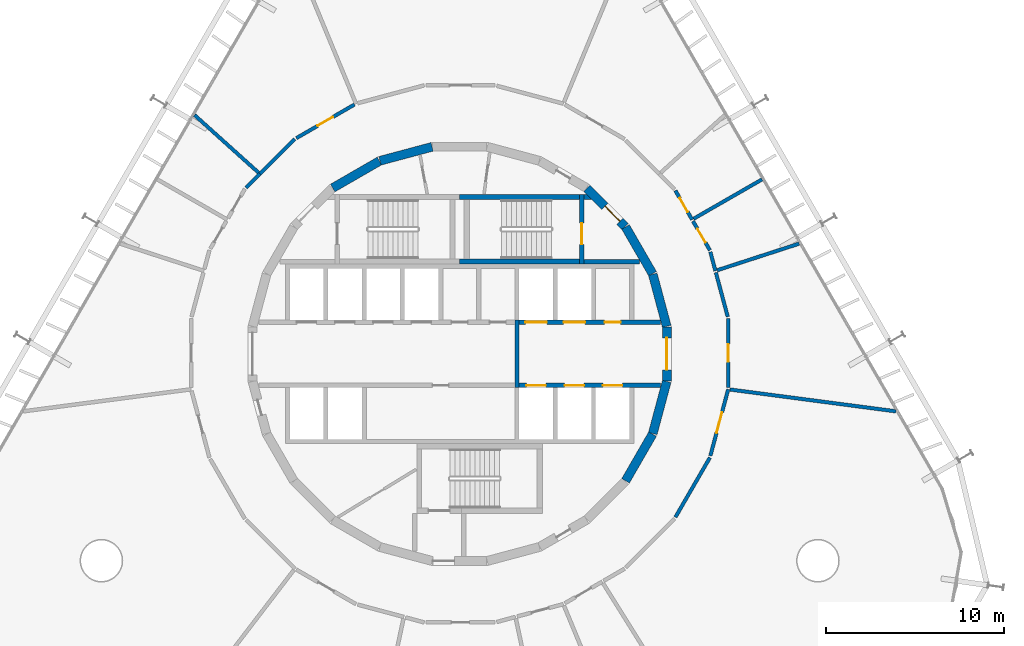
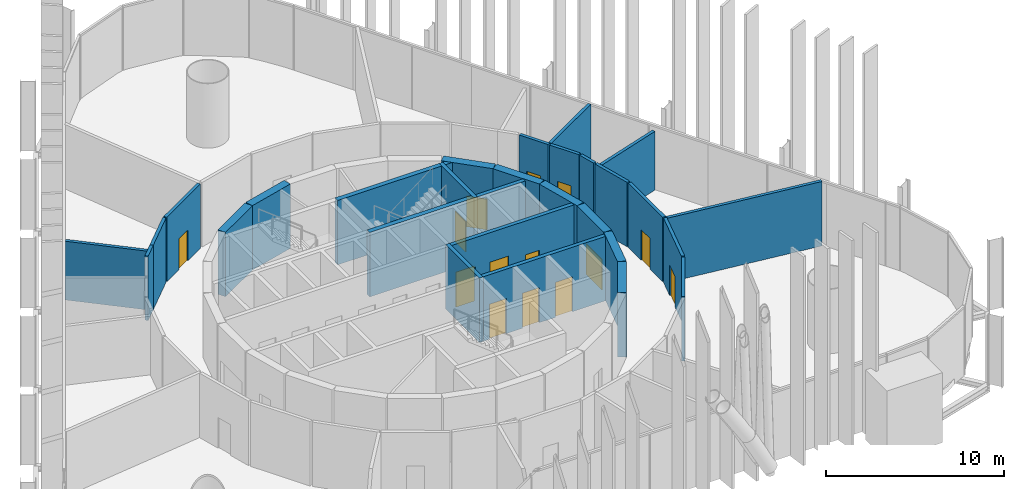
# One storey, part 15 of 17: 30 walls, 14 doors, 14 openings.
"""IFC4 building model written with IfcOpenShell, lengths in metres."""

from ifc_helpers import new_model, si_unit, direction, frame, frame_2d, origin, place, context, subcontext, project, spatial, polyline, rectangle, outline, extrude, material, layer, layer_set, type_object, element, fill, save


model = new_model("IFC4")

# Units and contexts
model_context = context("Model", 3, precision=1e-05, world=origin(), true_north=direction((0.0, 1.0)))
body_context = subcontext(model_context, "Body", "Model", "MODEL_VIEW")
ifc_project = project(units=[si_unit("LENGTHUNIT", "METRE"), si_unit("AREAUNIT", "SQUARE_METRE"), si_unit("VOLUMEUNIT", "CUBIC_METRE"), si_unit("PLANEANGLEUNIT", "RADIAN"), si_unit("MASSUNIT", "GRAM", prefix="KILO")], contexts=[model_context])

# Site, building, storey
site_placement = place(None, origin())
site = spatial("IfcSite", under=ifc_project, at=site_placement, CompositionType="ELEMENT")
building_placement = place(site_placement, origin())
building = spatial("IfcBuilding", under=site, at=building_placement, Name="Spindle Arch Residences", CompositionType="ELEMENT")
storey_placement = place(building_placement, frame((0.0, 0.0, 18.60009765625)))
storey = spatial("IfcBuildingStorey", under=building, at=storey_placement, Name="L03", CompositionType="ELEMENT", Elevation=18.60009765625)

# Walls
ifc_material_1 = material(Name="Concrete C50/60", Category="concrete")
ifc_layer_1 = layer(ifc_material_1, 0.5)
ifc_layer_set_1 = layer_set([ifc_layer_1], Name="Core outline wall 500")
wall_type_1 = type_object("IfcWallType", Name="Core outline wall 500", PredefinedType="SHEAR", material=ifc_layer_set_1)
for number, where, z_axis, x_axis, name in (
    (1, (9.32861328125, -7.13671875, 0.0), (0.0, 0.0, 1.0), (0.500087131594, 0.865975092491, 0.0), "Core outline wall 4"),
    (2, (10.858154296875, -4.479248046875, 0.0), (0.0, 0.0, 1.0), (0.258734743916, 0.965948410781, 0.0), "Core outline wall 5"),
):
    element("IfcWall", number, at=place(storey_placement, frame(where, z_axis=z_axis, x_axis=x_axis)), inside=storey, type_object=wall_type_1, Name=name, PredefinedType="SHEAR", context=body_context, shape_type="SweptSolid", body=[
        extrude(rectangle(XDim=3.03271484375, YDim=0.5, at=frame_2d((1.516357421875, 0.0))), origin(), (0.0, 0.0, 1.0), 4.419921875),
    ])

# Wall, opening, door
wall_1_placement = place(storey_placement, frame((11.647216796875, -1.516357421875, 0.0), z_axis=(0.0, 0.0, 1.0), x_axis=(0.0, 1.0, 0.0)))
wall_1 = element("IfcWall", 3, at=wall_1_placement, inside=storey, type_object=wall_type_1, Name="Core outline wall 6", PredefinedType="SHEAR", context=body_context, shape_type="SweptSolid", body=[
    extrude(rectangle(XDim=3.03271484375, YDim=0.5, at=frame_2d((1.516357421875, 0.0))), origin(), (0.0, 0.0, 1.0), 4.419921875),
])
opening_1_placement = place(wall_1_placement, frame((0.6162109375, 0.0, 0.0)))
opening_1 = element("IfcOpeningElement", 4, at=opening_1_placement, cuts=wall_1, Name="Opening L03-FE01", PredefinedType="OPENING", context=body_context, shape_type="SweptSolid", body=[
    extrude(rectangle(XDim=1.800048828125, YDim=2.10009765625, at=frame_2d((0.89990234375, 1.050048828125))), frame((0.0, 0.260009765625, 0.0), z_axis=(0.0, -1.0, 0.0), x_axis=(1.0, 0.0, 0.0)), (0.0, 0.0, 1.0), 0.52001953125),
])
ifc_material_2 = material(Name="Steel, fire-resisting door", Category="steel")
door_type_1 = type_object("IfcDoorType", Name="Fire-lift lobby door 1800x2100", OperationType="DOUBLE_DOOR_SINGLE_SWING", PredefinedType="DOOR", material=ifc_material_2)
door_1_placement = place(opening_1_placement, origin())
door_1 = element("IfcDoor", 5, at=door_1_placement, inside=storey, type_object=door_type_1, Name="Fire-lift lobby door L03-FE01", OperationType="DOUBLE_DOOR_SINGLE_SWING", OverallHeight=2.10009765625, OverallWidth=1.800048828125, PredefinedType="DOOR", context=body_context, shape_type="SweptSolid", body=[
    extrude(rectangle(XDim=1.800048828125, YDim=2.10009765625, at=frame_2d((0.89990234375, 1.050048828125))), frame((0.0, 0.02490234375, 0.0), z_axis=(0.0, -1.0, 0.0), x_axis=(1.0, 0.0, 0.0)), (0.0, 0.0, 1.0), 0.050048828125),
])
fill(opening_1, door_1)

# Walls
for number, where, z_axis, x_axis, name in (
    (6, (11.642822265625, 1.5498046875, 0.0), (0.0, 0.0, 1.0), (-0.258734743916, 0.965948410781, 0.0), "Core outline wall 7"),
    (7, (10.84521484375, 4.510498046875, 0.0), (0.0, 0.0, 1.0), (-0.500087131594, 0.865975092491, 0.0), "Core outline wall 8"),
):
    element("IfcWall", number, at=place(storey_placement, frame(where, z_axis=z_axis, x_axis=x_axis)), inside=storey, type_object=wall_type_1, Name=name, PredefinedType="SHEAR", context=body_context, shape_type="SweptSolid", body=[
        extrude(rectangle(XDim=3.03271484375, YDim=0.5, at=frame_2d((1.516357421875, 0.0))), origin(), (0.0, 0.0, 1.0), 4.419921875),
    ])

# Wall, opening, door
wall_2_placement = place(storey_placement, frame((9.30810546875, 7.163818359375, 0.0), z_axis=(0.0, 0.0, 1.0), x_axis=(-0.707106781187, 0.707106781187, 0.0)))
wall_2 = element("IfcWall", 8, at=wall_2_placement, inside=storey, type_object=wall_type_1, Name="Core outline wall 9", PredefinedType="SHEAR", context=body_context, shape_type="SweptSolid", body=[
    extrude(rectangle(XDim=3.032470703125, YDim=0.5, at=frame_2d((1.51611328125, 0.0))), origin(), (0.0, 0.0, 1.0), 4.419921875),
])
opening_2_placement = place(wall_2_placement, frame((0.416259765625, 0.0, 0.0)))
opening_2 = element("IfcOpeningElement", 9, at=opening_2_placement, cuts=wall_2, Name="Opening L03-AD01", PredefinedType="OPENING", context=body_context, shape_type="SweptSolid", body=[
    extrude(rectangle(XDim=1.199951171875, YDim=2.10009765625, at=frame_2d((0.60009765625, 1.050048828125))), frame((0.0, 0.260009765625, 0.0), z_axis=(0.0, -1.0, 0.0), x_axis=(1.0, 0.0, 0.0)), (0.0, 0.0, 1.0), 0.52001953125),
])
ifc_material_3 = material(Name="Steel, fire-resisting door", Category="steel")
door_type_2 = type_object("IfcDoorType", Name="Stair airlock door 1200x2100", OperationType="SINGLE_SWING_LEFT", PredefinedType="DOOR", material=ifc_material_3)
door_2_placement = place(opening_2_placement, origin())
door_2 = element("IfcDoor", 10, at=door_2_placement, inside=storey, type_object=door_type_2, Name="Stair airlock door L03-AD01", OperationType="SINGLE_SWING_RIGHT", OverallHeight=2.10009765625, OverallWidth=1.199951171875, PredefinedType="DOOR", context=body_context, shape_type="SweptSolid", body=[
    extrude(rectangle(XDim=1.199951171875, YDim=2.10009765625, at=frame_2d((0.60009765625, 1.050048828125))), frame((0.0, 0.02490234375, 0.0), z_axis=(0.0, -1.0, 0.0), x_axis=(1.0, 0.0, 0.0)), (0.0, 0.0, 1.0), 0.050048828125),
])
fill(opening_2, door_2)

# Walls
for number, where, z_axis, x_axis, name in (
    (11, (-1.5498046875, 11.642822265625, 0.0), (0.0, 0.0, 1.0), (-0.965948410781, -0.258734743916, 0.0), "Core outline wall 13"),
    (12, (-4.510498046875, 10.84521484375, 0.0), (0.0, 0.0, 1.0), (-0.865975092491, -0.500087131594, 0.0), "Core outline wall 14"),
):
    element("IfcWall", number, at=place(storey_placement, frame(where, z_axis=z_axis, x_axis=x_axis)), inside=storey, type_object=wall_type_1, Name=name, PredefinedType="SHEAR", context=body_context, shape_type="SweptSolid", body=[
        extrude(rectangle(XDim=3.03271484375, YDim=0.5, at=frame_2d((1.516357421875, 0.0))), origin(), (0.0, 0.0, 1.0), 4.419921875),
    ])

# Wall, openings, doors
ifc_material_4 = material(Name="Concrete C40/50", Category="concrete")
ifc_layer_2 = layer(ifc_material_4, 0.25)
ifc_layer_set_2 = layer_set([ifc_layer_2], Name="Fire-lift lobby wall 250")
wall_type_2 = type_object("IfcWallType", Name="Fire-lift lobby wall 250", PredefinedType="SHEAR", material=ifc_layer_set_2)
wall_3_placement = place(storey_placement, frame((3.35009765625, 1.77490234375, 0.0), z_axis=(0.0, 0.0, 1.0), x_axis=(1.0, 0.0, 0.0)))
wall_3 = element("IfcWall", 13, at=wall_3_placement, inside=storey, type_object=wall_type_2, Name="Lift shaft front wall NE", PredefinedType="SHEAR", context=body_context, shape_type="SweptSolid", body=[
    extrude(rectangle(XDim=7.929931640625, YDim=0.25, at=frame_2d((3.96484375, 0.0))), origin(), (0.0, 0.0, 1.0), 4.419921875),
])
opening_3_placement = place(wall_3_placement, frame((0.35009765625, 0.0, 0.0)))
opening_3 = element("IfcOpeningElement", 14, at=opening_3_placement, cuts=wall_3, Name="Opening L03-SLD01", PredefinedType="OPENING", context=body_context, shape_type="SweptSolid", body=[
    extrude(rectangle(XDim=1.199951171875, YDim=2.39990234375, at=frame_2d((0.60009765625, 1.199951171875))), frame((0.0, 0.135009765625, 0.0), z_axis=(0.0, -1.0, 0.0), x_axis=(1.0, 0.0, 0.0)), (0.0, 0.0, 1.0), 0.27001953125),
])
opening_4_placement = place(wall_3_placement, frame((2.5, 0.0, 0.0)))
opening_4 = element("IfcOpeningElement", 15, at=opening_4_placement, cuts=wall_3, Name="Opening L03-SLD02", PredefinedType="OPENING", context=body_context, shape_type="SweptSolid", body=[
    extrude(rectangle(XDim=1.199951171875, YDim=2.39990234375, at=frame_2d((0.60009765625, 1.199951171875))), frame((0.0, 0.135009765625, 0.0), z_axis=(0.0, -1.0, 0.0), x_axis=(1.0, 0.0, 0.0)), (0.0, 0.0, 1.0), 0.27001953125),
])
opening_5_placement = place(wall_3_placement, frame((4.800048828125, 0.0, 0.0)))
opening_5 = element("IfcOpeningElement", 16, at=opening_5_placement, cuts=wall_3, Name="Opening L03-WD03", PredefinedType="OPENING", context=body_context, shape_type="SweptSolid", body=[
    extrude(rectangle(XDim=0.89990234375, YDim=2.10009765625, at=frame_2d((0.449951171875, 1.050048828125))), frame((0.0, 0.135009765625, 0.0), z_axis=(0.0, -1.0, 0.0), x_axis=(1.0, 0.0, 0.0)), (0.0, 0.0, 1.0), 0.27001953125),
])
ifc_material_5 = material(Name="Steel, fire-resisting landing door", Category="steel")
door_type_3 = type_object("IfcDoorType", Name="Service lift landing door 1200x2400", OperationType="DOUBLE_DOOR_SLIDING", PredefinedType="DOOR", material=ifc_material_5)
door_3_placement = place(opening_3_placement, origin())
door_3 = element("IfcDoor", 17, at=door_3_placement, inside=storey, type_object=door_type_3, Name="Service lift landing door L03-SLD01", OperationType="DOUBLE_DOOR_SLIDING", OverallHeight=2.39990234375, OverallWidth=1.199951171875, PredefinedType="DOOR", context=body_context, shape_type="SweptSolid", body=[
    extrude(rectangle(XDim=1.199951171875, YDim=2.39990234375, at=frame_2d((0.60009765625, 1.199951171875))), frame((0.0, 0.02490234375, 0.0), z_axis=(0.0, -1.0, 0.0), x_axis=(1.0, 0.0, 0.0)), (0.0, 0.0, 1.0), 0.050048828125),
])
fill(opening_3, door_3)
door_4_placement = place(opening_4_placement, origin())
door_4 = element("IfcDoor", 18, at=door_4_placement, inside=storey, type_object=door_type_3, Name="Service lift landing door L03-SLD02", OperationType="DOUBLE_DOOR_SLIDING", OverallHeight=2.39990234375, OverallWidth=1.199951171875, PredefinedType="DOOR", context=body_context, shape_type="SweptSolid", body=[
    extrude(rectangle(XDim=1.199951171875, YDim=2.39990234375, at=frame_2d((0.60009765625, 1.199951171875))), frame((0.0, 0.02490234375, 0.0), z_axis=(0.0, -1.0, 0.0), x_axis=(1.0, 0.0, 0.0)), (0.0, 0.0, 1.0), 0.050048828125),
])
fill(opening_4, door_4)
ifc_material_6 = material(Name="Steel, fire-resisting door", Category="steel")
door_type_4 = type_object("IfcDoorType", Name="Service room door 900x2100", OperationType="SINGLE_SWING_LEFT", PredefinedType="DOOR", material=ifc_material_6)
door_5_placement = place(opening_5_placement, origin())
door_5 = element("IfcDoor", 19, at=door_5_placement, inside=storey, type_object=door_type_4, Name="Service room door L03-WD03", OperationType="SINGLE_SWING_RIGHT", OverallHeight=2.10009765625, OverallWidth=0.89990234375, PredefinedType="DOOR", context=body_context, shape_type="SweptSolid", body=[
    extrude(rectangle(XDim=0.89990234375, YDim=2.10009765625, at=frame_2d((0.449951171875, 1.050048828125))), frame((0.0, 0.02490234375, 0.0), z_axis=(0.0, -1.0, 0.0), x_axis=(1.0, 0.0, 0.0)), (0.0, 0.0, 1.0), 0.050048828125),
])
fill(opening_5, door_5)

# Wall
wall_4_placement = place(storey_placement, frame((3.22509765625, -1.89990234375, 0.0), z_axis=(0.0, 0.0, 1.0), x_axis=(0.0, 1.0, 0.0)))
element("IfcWall", 20, at=wall_4_placement, inside=storey, type_object=wall_type_2, Name="Fire-fighting lobby partition", PredefinedType="SHEAR", context=body_context, shape_type="SweptSolid", body=[
    extrude(rectangle(XDim=3.7998046875, YDim=0.25, at=frame_2d((1.89990234375, 0.0))), origin(), (0.0, 0.0, 1.0), 4.419921875),
])

# Wall, openings, doors
ifc_material_7 = material(Name="Concrete C50/60", Category="concrete")
ifc_layer_3 = layer(ifc_material_7, 0.25)
ifc_layer_set_3 = layer_set([ifc_layer_3], Name="Fire-lift shaft wall 250")
wall_type_3 = type_object("IfcWallType", Name="Fire-lift shaft wall 250", PredefinedType="SHEAR", material=ifc_layer_set_3)
wall_5_placement = place(storey_placement, frame((3.35009765625, -1.77490234375, 0.0), z_axis=(0.0, 0.0, 1.0), x_axis=(1.0, 0.0, 0.0)))
wall_5 = element("IfcWall", 21, at=wall_5_placement, inside=storey, type_object=wall_type_3, Name="Lift shaft front wall SE", PredefinedType="SHEAR", context=body_context, shape_type="SweptSolid", body=[
    extrude(rectangle(XDim=7.929931640625, YDim=0.25, at=frame_2d((3.96484375, 0.0))), origin(), (0.0, 0.0, 1.0), 4.419921875),
])
opening_6_placement = place(wall_5_placement, frame((0.39990234375, 0.0, 0.0)))
opening_6 = element("IfcOpeningElement", 22, at=opening_6_placement, cuts=wall_5, Name="Opening L03-FLD01", PredefinedType="OPENING", context=body_context, shape_type="SweptSolid", body=[
    extrude(rectangle(XDim=1.10009765625, YDim=2.39990234375, at=frame_2d((0.550048828125, 1.199951171875))), frame((0.0, 0.135009765625, 0.0), z_axis=(0.0, -1.0, 0.0), x_axis=(1.0, 0.0, 0.0)), (0.0, 0.0, 1.0), 0.27001953125),
])
opening_7_placement = place(wall_5_placement, frame((2.550048828125, 0.0, 0.0)))
opening_7 = element("IfcOpeningElement", 23, at=opening_7_placement, cuts=wall_5, Name="Opening L03-FLD02", PredefinedType="OPENING", context=body_context, shape_type="SweptSolid", body=[
    extrude(rectangle(XDim=1.10009765625, YDim=2.39990234375, at=frame_2d((0.550048828125, 1.199951171875))), frame((0.0, 0.135009765625, 0.0), z_axis=(0.0, -1.0, 0.0), x_axis=(1.0, 0.0, 0.0)), (0.0, 0.0, 1.0), 0.27001953125),
])
opening_8_placement = place(wall_5_placement, frame((4.699951171875, 0.0, 0.0)))
opening_8 = element("IfcOpeningElement", 24, at=opening_8_placement, cuts=wall_5, Name="Opening L03-FLD03", PredefinedType="OPENING", context=body_context, shape_type="SweptSolid", body=[
    extrude(rectangle(XDim=1.10009765625, YDim=2.39990234375, at=frame_2d((0.550048828125, 1.199951171875))), frame((0.0, 0.135009765625, 0.0), z_axis=(0.0, -1.0, 0.0), x_axis=(1.0, 0.0, 0.0)), (0.0, 0.0, 1.0), 0.27001953125),
])
ifc_material_8 = material(Name="Steel, fire-resisting landing door", Category="steel")
door_type_5 = type_object("IfcDoorType", Name="Fire-fighting lift landing door 1100x2400", OperationType="DOUBLE_DOOR_SLIDING", PredefinedType="DOOR", material=ifc_material_8)
door_6_placement = place(opening_6_placement, origin())
door_6 = element("IfcDoor", 25, at=door_6_placement, inside=storey, type_object=door_type_5, Name="Fire-fighting lift landing door L03-FLD01", OperationType="DOUBLE_DOOR_SLIDING", OverallHeight=2.39990234375, OverallWidth=1.10009765625, PredefinedType="DOOR", context=body_context, shape_type="SweptSolid", body=[
    extrude(rectangle(XDim=1.10009765625, YDim=2.39990234375, at=frame_2d((0.550048828125, 1.199951171875))), frame((0.0, 0.02490234375, 0.0), z_axis=(0.0, -1.0, 0.0), x_axis=(1.0, 0.0, 0.0)), (0.0, 0.0, 1.0), 0.050048828125),
])
fill(opening_6, door_6)
door_7_placement = place(opening_7_placement, origin())
door_7 = element("IfcDoor", 26, at=door_7_placement, inside=storey, type_object=door_type_5, Name="Fire-fighting lift landing door L03-FLD02", OperationType="DOUBLE_DOOR_SLIDING", OverallHeight=2.39990234375, OverallWidth=1.10009765625, PredefinedType="DOOR", context=body_context, shape_type="SweptSolid", body=[
    extrude(rectangle(XDim=1.10009765625, YDim=2.39990234375, at=frame_2d((0.550048828125, 1.199951171875))), frame((0.0, 0.02490234375, 0.0), z_axis=(0.0, -1.0, 0.0), x_axis=(1.0, 0.0, 0.0)), (0.0, 0.0, 1.0), 0.050048828125),
])
fill(opening_7, door_7)
door_8_placement = place(opening_8_placement, origin())
door_8 = element("IfcDoor", 27, at=door_8_placement, inside=storey, type_object=door_type_5, Name="Fire-fighting lift landing door L03-FLD03", OperationType="DOUBLE_DOOR_SLIDING", OverallHeight=2.39990234375, OverallWidth=1.10009765625, PredefinedType="DOOR", context=body_context, shape_type="SweptSolid", body=[
    extrude(rectangle(XDim=1.10009765625, YDim=2.39990234375, at=frame_2d((0.550048828125, 1.199951171875))), frame((0.0, 0.02490234375, 0.0), z_axis=(0.0, -1.0, 0.0), x_axis=(1.0, 0.0, 0.0)), (0.0, 0.0, 1.0), 0.050048828125),
])
fill(opening_8, door_8)

# Walls
ifc_material_9 = material(Name="Gypsum board partition on steel studs", Category="steel")
ifc_layer_4 = layer(ifc_material_9, 0.199951171875)
ifc_layer_set_4 = layer_set([ifc_layer_4], Name="Partition EI 60 200 amenity")
wall_type_4 = type_object("IfcWallType", Name="Partition EI 60 200 amenity", PredefinedType="PARTITIONING", material=ifc_layer_set_4)
wall_6_placement = place(storey_placement, frame((-11.304443359375, 10.186767578125, 0.0), z_axis=(0.0, 0.0, 1.0), x_axis=(-0.743474354937, 0.668764445489, 0.0)))
element("IfcWall", 28, at=wall_6_placement, inside=storey, type_object=wall_type_4, Name="L03-W012", PredefinedType="PARTITIONING", context=body_context, shape_type="SweptSolid", body=[
    extrude(rectangle(XDim=4.849365234375, YDim=0.199951171875, at=frame_2d((2.4248046875, 0.0))), origin(), (0.0, 0.0, 1.0), 4.02978515625),
])
wall_7_placement = place(storey_placement, frame((-11.22998046875, 10.1201171875, 0.0), z_axis=(0.0, 0.0, 1.0), x_axis=(-0.707106781187, -0.707106781187, 0.0)))
element("IfcWall", 29, at=wall_7_placement, inside=storey, type_object=wall_type_4, Name="L03-W013", PredefinedType="PARTITIONING", context=body_context, shape_type="SweptSolid", body=[
    extrude(rectangle(XDim=1.10205078125, YDim=0.199951171875, at=frame_2d((0.551025390625, 0.0))), origin(), (0.0, 0.0, 1.0), 4.419921875),
])
wall_8_placement = place(storey_placement, frame((-9.27001953125, 12.080078125, 0.0), z_axis=(0.0, 0.0, 1.0), x_axis=(-0.707106781187, -0.707106781187, 0.0)))
element("IfcWall", 30, at=wall_8_placement, inside=storey, type_object=wall_type_4, Name="L03-W016", PredefinedType="PARTITIONING", context=body_context, shape_type="SweptSolid", body=[
    extrude(rectangle(XDim=2.771728515625, YDim=0.199951171875, at=frame_2d((1.3857421875, 0.0))), origin(), (0.0, 0.0, 1.0), 4.419921875),
])

# Wall, opening, door
wall_9_placement = place(storey_placement, frame((-5.91650390625, 14.02001953125, 0.0), z_axis=(0.0, 0.0, 1.0), x_axis=(-0.865591582237, -0.500750649286, 0.0)))
wall_9 = element("IfcWall", 31, at=wall_9_placement, inside=storey, type_object=wall_type_4, Name="L03-W019", PredefinedType="PARTITIONING", context=body_context, shape_type="SweptSolid", body=[
    extrude(rectangle(XDim=3.774169921875, YDim=0.199951171875, at=frame_2d((1.88720703125, 0.0))), origin(), (0.0, 0.0, 1.0), 4.419921875),
])
opening_9_placement = place(wall_9_placement, frame((1.38720703125, 0.0, 0.0)))
opening_9 = element("IfcOpeningElement", 32, at=opening_9_placement, cuts=wall_9, Name="Opening L03-D13", PredefinedType="OPENING", context=body_context, shape_type="SweptSolid", body=[
    extrude(rectangle(XDim=1.0, YDim=2.10009765625, at=frame_2d((0.5, 1.050048828125))), frame((0.0, 0.10986328125, 0.0), z_axis=(0.0, -1.0, 0.0), x_axis=(1.0, 0.0, 0.0)), (0.0, 0.0, 1.0), 0.219970703125),
])
ifc_material_10 = material(Name="Timber door leaf", Category="wood")
door_type_6 = type_object("IfcDoorType", Name="Door 1000x2100 EI 30", OperationType="SINGLE_SWING_LEFT", PredefinedType="DOOR", material=ifc_material_10)
door_9_placement = place(opening_9_placement, origin())
door_9 = element("IfcDoor", 33, at=door_9_placement, inside=storey, type_object=door_type_6, Name="L03-D13", OperationType="SINGLE_SWING_LEFT", OverallHeight=2.10009765625, OverallWidth=1.0, PredefinedType="DOOR", context=body_context, shape_type="SweptSolid", body=[
    extrude(rectangle(XDim=1.0, YDim=2.10009765625, at=frame_2d((0.5, 1.050048828125))), frame((0.0, 0.02490234375, 0.0), z_axis=(0.0, -1.0, 0.0), x_axis=(1.0, 0.0, 0.0)), (0.0, 0.0, 1.0), 0.050048828125),
])
fill(opening_9, door_9)

# Wall
wall_10_placement = place(storey_placement, frame((12.130126953125, -9.183349609375, 0.0), z_axis=(0.0, 0.0, 1.0), x_axis=(0.500760497952, 0.865585884642, 0.0)))
element("IfcWall", 34, at=wall_10_placement, inside=storey, type_object=wall_type_4, Name="L03-W038", PredefinedType="PARTITIONING", context=body_context, shape_type="SweptSolid", body=[
    extrude(rectangle(XDim=3.8740234375, YDim=0.199951171875, at=frame_2d((1.93701171875, 0.0))), origin(), (0.0, 0.0, 1.0), 4.419921875),
])

# Wall, opening, door
wall_11_placement = place(storey_placement, frame((13.070068359375, 7.550048828125, 0.0), z_axis=(0.0, 0.0, 1.0), x_axis=(-0.498884838469, 0.866668285993, 0.0)))
wall_11 = element("IfcWall", 35, at=wall_11_placement, inside=storey, type_object=wall_type_4, Name="L03-W040", PredefinedType="PARTITIONING", context=body_context, shape_type="SweptSolid", body=[
    extrude(rectangle(XDim=1.884521484375, YDim=0.199951171875, at=frame_2d((0.9423828125, 0.0))), origin(), (0.0, 0.0, 1.0), 4.419921875),
])
opening_10_placement = place(wall_11_placement, frame((0.4921875, 0.0, 0.0)))
opening_10 = element("IfcOpeningElement", 36, at=opening_10_placement, cuts=wall_11, Name="Opening L03-D12", PredefinedType="OPENING", context=body_context, shape_type="SweptSolid", body=[
    extrude(rectangle(XDim=0.89990234375, YDim=2.10009765625, at=frame_2d((0.449951171875, 1.050048828125))), frame((0.0, 0.10986328125, 0.0), z_axis=(0.0, -1.0, 0.0), x_axis=(1.0, 0.0, 0.0)), (0.0, 0.0, 1.0), 0.219970703125),
])
ifc_material_11 = material(Name="Timber door leaf", Category="wood")
door_type_7 = type_object("IfcDoorType", Name="Door 900x2100 EI 30", OperationType="SINGLE_SWING_LEFT", PredefinedType="DOOR", material=ifc_material_11)
door_10_placement = place(opening_10_placement, origin())
door_10 = element("IfcDoor", 37, at=door_10_placement, inside=storey, type_object=door_type_7, Name="L03-D12", OperationType="SINGLE_SWING_LEFT", OverallHeight=2.10009765625, OverallWidth=0.89990234375, PredefinedType="DOOR", context=body_context, shape_type="SweptSolid", body=[
    extrude(rectangle(XDim=0.89990234375, YDim=2.10009765625, at=frame_2d((0.449951171875, 1.050048828125))), frame((0.0, 0.02490234375, 0.0), z_axis=(0.0, -1.0, 0.0), x_axis=(1.0, 0.0, 0.0)), (0.0, 0.0, 1.0), 0.050048828125),
])
fill(opening_10, door_10)

# Wall
wall_12_placement = place(storey_placement, frame((13.15673828125, 7.599853515625, 0.0), z_axis=(0.0, 0.0, 1.0), x_axis=(0.866874176334, 0.498526992654, 0.0)))
element("IfcWall", 38, at=wall_12_placement, inside=storey, type_object=wall_type_4, Name="L03-W041", PredefinedType="PARTITIONING", context=body_context, shape_type="SweptSolid", body=[
    extrude(rectangle(XDim=4.433349609375, YDim=0.199951171875, at=frame_2d((2.216796875, 0.0))), origin(), (0.0, 0.0, 1.0), 4.419921875),
])

# Wall, opening, door
wall_13_placement = place(storey_placement, frame((14.095947265625, -5.7333984375, 0.0), z_axis=(0.0, 0.0, 1.0), x_axis=(0.259085569159, 0.96585437197, 0.0)))
wall_13 = element("IfcWall", 39, at=wall_13_placement, inside=storey, type_object=wall_type_4, Name="L03-W042", PredefinedType="PARTITIONING", context=body_context, shape_type="SweptSolid", body=[
    extrude(rectangle(XDim=3.875732421875, YDim=0.199951171875, at=frame_2d((1.93798828125, 0.0))), origin(), (0.0, 0.0, 1.0), 4.419921875),
])
opening_11_placement = place(wall_13_placement, frame((1.337890625, 0.0, 0.0)))
opening_11 = element("IfcOpeningElement", 40, at=opening_11_placement, cuts=wall_13, Name="Opening L03-D05", PredefinedType="OPENING", context=body_context, shape_type="SweptSolid", body=[
    extrude(rectangle(XDim=1.199951171875, YDim=2.10009765625, at=frame_2d((0.60009765625, 1.050048828125))), frame((0.0, 0.10986328125, 0.0), z_axis=(0.0, -1.0, 0.0), x_axis=(1.0, 0.0, 0.0)), (0.0, 0.0, 1.0), 0.219970703125),
])
ifc_material_12 = material(Name="Timber door leaf", Category="wood")
door_type_8 = type_object("IfcDoorType", Name="Door 1200x2100 EI 30", OperationType="SINGLE_SWING_LEFT", PredefinedType="DOOR", material=ifc_material_12)
door_11_placement = place(opening_11_placement, origin())
door_11 = element("IfcDoor", 41, at=door_11_placement, inside=storey, type_object=door_type_8, Name="L03-D05", OperationType="SINGLE_SWING_LEFT", OverallHeight=2.10009765625, OverallWidth=1.199951171875, PredefinedType="DOOR", context=body_context, shape_type="SweptSolid", body=[
    extrude(rectangle(XDim=1.199951171875, YDim=2.10009765625, at=frame_2d((0.60009765625, 1.050048828125))), frame((0.0, 0.02490234375, 0.0), z_axis=(0.0, -1.0, 0.0), x_axis=(1.0, 0.0, 0.0)), (0.0, 0.0, 1.0), 0.050048828125),
])
fill(opening_11, door_11)

wall_14_placement = place(storey_placement, frame((14.070068359375, 5.830078125, 0.0), z_axis=(0.0, 0.0, 1.0), x_axis=(-0.502609228887, 0.864513714777, 0.0)))
wall_14 = element("IfcWall", 42, at=wall_14_placement, inside=storey, type_object=wall_type_4, Name="L03-W043", PredefinedType="PARTITIONING", context=body_context, shape_type="SweptSolid", body=[
    extrude(rectangle(XDim=1.8896484375, YDim=0.199951171875, at=frame_2d((0.94482421875, 0.0))), origin(), (0.0, 0.0, 1.0), 4.419921875),
])
opening_12_placement = place(wall_14_placement, frame((0.494873046875, 0.0, 0.0)))
opening_12 = element("IfcOpeningElement", 43, at=opening_12_placement, cuts=wall_14, Name="Opening L03-D09", PredefinedType="OPENING", context=body_context, shape_type="SweptSolid", body=[
    extrude(rectangle(XDim=0.89990234375, YDim=2.10009765625, at=frame_2d((0.449951171875, 1.050048828125))), frame((0.0, 0.10986328125, 0.0), z_axis=(0.0, -1.0, 0.0), x_axis=(1.0, 0.0, 0.0)), (0.0, 0.0, 1.0), 0.219970703125),
])
door_12_placement = place(opening_12_placement, origin())
door_12 = element("IfcDoor", 44, at=door_12_placement, inside=storey, type_object=door_type_7, Name="L03-D09", OperationType="SINGLE_SWING_LEFT", OverallHeight=2.10009765625, OverallWidth=0.89990234375, PredefinedType="DOOR", context=body_context, shape_type="SweptSolid", body=[
    extrude(rectangle(XDim=0.89990234375, YDim=2.10009765625, at=frame_2d((0.449951171875, 1.050048828125))), frame((0.0, 0.02490234375, 0.0), z_axis=(0.0, -1.0, 0.0), x_axis=(1.0, 0.0, 0.0)), (0.0, 0.0, 1.0), 0.050048828125),
])
fill(opening_12, door_12)

# Walls
wall_15_placement = place(storey_placement, frame((14.3798828125, 4.669921875, 0.0), z_axis=(0.0, 0.0, 1.0), x_axis=(-0.258159565639, 0.966102292032, 0.0)))
element("IfcWall", 45, at=wall_15_placement, inside=storey, type_object=wall_type_4, Name="L03-W044", PredefinedType="PARTITIONING", context=body_context, shape_type="SweptSolid", body=[
    extrude(rectangle(XDim=1.100830078125, YDim=0.199951171875, at=frame_2d((0.55029296875, 0.0))), origin(), (0.0, 0.0, 1.0), 4.419921875),
])
wall_16_placement = place(storey_placement, frame((14.47509765625, 4.700927734375, 0.0), z_axis=(0.0, 0.0, 1.0), x_axis=(0.951085450377, 0.308927930239, 0.0)))
element("IfcWall", 46, at=wall_16_placement, inside=storey, type_object=wall_type_4, Name="L03-W045", PredefinedType="PARTITIONING", context=body_context, shape_type="SweptSolid", body=[
    extrude(rectangle(XDim=4.852294921875, YDim=0.199951171875, at=frame_2d((2.42626953125, 0.0))), origin(), (0.0, 0.0, 1.0), 4.02978515625),
])

# Wall, opening, door
wall_17_placement = place(storey_placement, frame((15.10009765625, -1.889892578125, 0.0), z_axis=(0.0, 0.0, 1.0), x_axis=(0.0, 1.0, 0.0)))
wall_17 = element("IfcWall", 47, at=wall_17_placement, inside=storey, type_object=wall_type_4, Name="L03-W046", PredefinedType="PARTITIONING", context=body_context, shape_type="SweptSolid", body=[
    extrude(rectangle(XDim=3.8798828125, YDim=0.199951171875, at=frame_2d((1.93994140625, 0.0))), origin(), (0.0, 0.0, 1.0), 4.419921875),
])
opening_13_placement = place(wall_17_placement, frame((1.43994140625, 0.0, 0.0)))
opening_13 = element("IfcOpeningElement", 48, at=opening_13_placement, cuts=wall_17, Name="Opening L03-D07", PredefinedType="OPENING", context=body_context, shape_type="SweptSolid", body=[
    extrude(rectangle(XDim=1.0, YDim=2.10009765625, at=frame_2d((0.5, 1.050048828125))), frame((0.0, 0.10986328125, 0.0), z_axis=(0.0, -1.0, 0.0), x_axis=(1.0, 0.0, 0.0)), (0.0, 0.0, 1.0), 0.219970703125),
])
door_13_placement = place(opening_13_placement, origin())
door_13 = element("IfcDoor", 49, at=door_13_placement, inside=storey, type_object=door_type_6, Name="L03-D07", OperationType="SINGLE_SWING_LEFT", OverallHeight=2.10009765625, OverallWidth=1.0, PredefinedType="DOOR", context=body_context, shape_type="SweptSolid", body=[
    extrude(rectangle(XDim=1.0, YDim=2.10009765625, at=frame_2d((0.5, 1.050048828125))), frame((0.0, 0.02490234375, 0.0), z_axis=(0.0, -1.0, 0.0), x_axis=(1.0, 0.0, 0.0)), (0.0, 0.0, 1.0), 0.050048828125),
])
fill(opening_13, door_13)

# Walls
wall_18_placement = place(storey_placement, frame((15.19921875, -2.0029296875, 0.0), z_axis=(0.0, 0.0, 1.0), x_axis=(0.991463740717, -0.130382709146, 0.0)))
element("IfcWall", 50, at=wall_18_placement, inside=storey, type_object=wall_type_4, Name="L03-W047", PredefinedType="PARTITIONING", context=body_context, shape_type="SweptSolid", body=[
    extrude(rectangle(XDim=9.4111328125, YDim=0.199951171875, at=frame_2d((4.70556640625, 0.0))), origin(), (0.0, 0.0, 1.0), 4.419921875),
])
wall_19_placement = place(storey_placement, frame((15.073974609375, 2.086669921875, 0.0), z_axis=(0.0, 0.0, 1.0), x_axis=(-0.259408996071, 0.965767556277, 0.0)))
element("IfcWall", 51, at=wall_19_placement, inside=storey, type_object=wall_type_4, Name="L03-W048", PredefinedType="PARTITIONING", context=body_context, shape_type="SweptSolid", body=[
    extrude(rectangle(XDim=2.574951171875, YDim=0.199951171875, at=frame_2d((1.28759765625, 0.0))), origin(), (0.0, 0.0, 1.0), 4.419921875),
])
ifc_material_13 = material(Name="Concrete C40/50", Category="concrete")
ifc_layer_5 = layer(ifc_material_13, 0.25)
ifc_layer_set_5 = layer_set([ifc_layer_5], Name="Stair airlock wall 250")
wall_type_5 = type_object("IfcWallType", Name="Stair airlock wall 250", PredefinedType="SHEAR", material=ifc_layer_set_5)
wall_20_placement = place(storey_placement, frame((7.0, 5.175048828125, 0.0), z_axis=(0.0, 0.0, 1.0), x_axis=(1.0, 0.0, 0.0)))
element("IfcWall", 52, at=wall_20_placement, inside=storey, type_object=wall_type_5, Name="Stair ST-1 airlock wall S", PredefinedType="SHEAR", context=body_context, shape_type="SweptSolid", body=[
    extrude(rectangle(XDim=3.10009765625, YDim=0.25, at=frame_2d((1.550048828125, 0.0))), origin(), (0.0, 0.0, 1.0), 4.419921875),
])
ifc_material_14 = material(Name="Concrete C40/50", Category="concrete")
wall_type_6 = type_object("IfcWallType", Name="Stair airlock wall profile", PredefinedType="SHEAR", material=ifc_material_14)
wall_21_placement = place(storey_placement, origin())
element("IfcWall", 53, at=wall_21_placement, inside=storey, type_object=wall_type_6, Name="Stair ST-1 airlock wall N", PredefinedType="SHEAR", context=body_context, shape_type="SweptSolid", body=[
    extrude(outline(polyline([(7.4482421875, 8.669921875), (7.0, 8.669921875), (7.0, 8.969970703125), (7.148193359375, 8.969970703125), (7.4482421875, 8.669921875)])), origin(), (0.0, 0.0, 1.0), 4.419921875),
])

# Wall, opening, door
ifc_material_15 = material(Name="Concrete C50/60", Category="concrete")
ifc_layer_6 = layer(ifc_material_15, 0.25)
ifc_layer_set_6 = layer_set([ifc_layer_6], Name="Stair enclosure wall 250")
wall_type_7 = type_object("IfcWallType", Name="Stair enclosure wall 250", PredefinedType="SHEAR", material=ifc_layer_set_6)
wall_22_placement = place(storey_placement, frame((6.875, 5.050048828125, 0.0), z_axis=(0.0, 0.0, 1.0), x_axis=(0.0, 1.0, 0.0)))
wall_22 = element("IfcWall", 54, at=wall_22_placement, inside=storey, type_object=wall_type_7, Name="Stair ST-1 door wall", PredefinedType="SHEAR", context=body_context, shape_type="SweptSolid", body=[
    extrude(rectangle(XDim=3.919921875, YDim=0.25, at=frame_2d((1.9599609375, 0.0))), origin(), (0.0, 0.0, 1.0), 4.419921875),
])
opening_14_placement = place(wall_22_placement, frame((1.110107421875, 0.0, 0.0)))
opening_14 = element("IfcOpeningElement", 55, at=opening_14_placement, cuts=wall_22, Name="Opening L03-SD01", PredefinedType="OPENING", context=body_context, shape_type="SweptSolid", body=[
    extrude(rectangle(XDim=1.199951171875, YDim=2.10009765625, at=frame_2d((0.60009765625, 1.050048828125))), frame((0.0, 0.135009765625, 0.0), z_axis=(0.0, -1.0, 0.0), x_axis=(1.0, 0.0, 0.0)), (0.0, 0.0, 1.0), 0.27001953125),
])
ifc_material_16 = material(Name="Steel, fire-resisting door", Category="steel")
door_type_9 = type_object("IfcDoorType", Name="Stair door 1200x2100", OperationType="SINGLE_SWING_RIGHT", PredefinedType="DOOR", material=ifc_material_16)
door_14_placement = place(opening_14_placement, origin())
door_14 = element("IfcDoor", 56, at=door_14_placement, inside=storey, type_object=door_type_9, Name="Stair door L03-SD01", OperationType="SINGLE_SWING_LEFT", OverallHeight=2.10009765625, OverallWidth=1.199951171875, PredefinedType="DOOR", context=body_context, shape_type="SweptSolid", body=[
    extrude(rectangle(XDim=1.199951171875, YDim=2.10009765625, at=frame_2d((0.60009765625, 1.050048828125))), frame((0.0, 0.02490234375, 0.0), z_axis=(0.0, -1.0, 0.0), x_axis=(1.0, 0.0, 0.0)), (0.0, 0.0, 1.0), 0.050048828125),
])
fill(opening_14, door_14)

# Walls
ifc_material_17 = material(Name="Concrete C50/60", Category="concrete")
ifc_layer_7 = layer(ifc_material_17, 0.300048828125)
ifc_layer_set_7 = layer_set([ifc_layer_7], Name="Stair enclosure wall 300")
wall_type_8 = type_object("IfcWallType", Name="Stair enclosure wall 300", PredefinedType="SHEAR", material=ifc_layer_set_7)
for number, where, z_axis, x_axis, name in (
    (57, (0.0, 5.199951171875, 0.0), (0.0, 0.0, 1.0), (1.0, 0.0, 0.0), "Stair ST-1 enclosure wall S"),
    (58, (0.0, 8.820068359375, 0.0), (0.0, 0.0, 1.0), (1.0, 0.0, 0.0), "Stair ST-1 enclosure wall N"),
):
    element("IfcWall", number, at=place(storey_placement, frame(where, z_axis=z_axis, x_axis=x_axis)), inside=storey, type_object=wall_type_8, Name=name, PredefinedType="SHEAR", context=body_context, shape_type="SweptSolid", body=[
        extrude(rectangle(XDim=6.75, YDim=0.300048828125, at=frame_2d((3.375, 0.0))), origin(), (0.0, 0.0, 1.0), 4.419921875),
    ])

save(model, "model.ifc")
